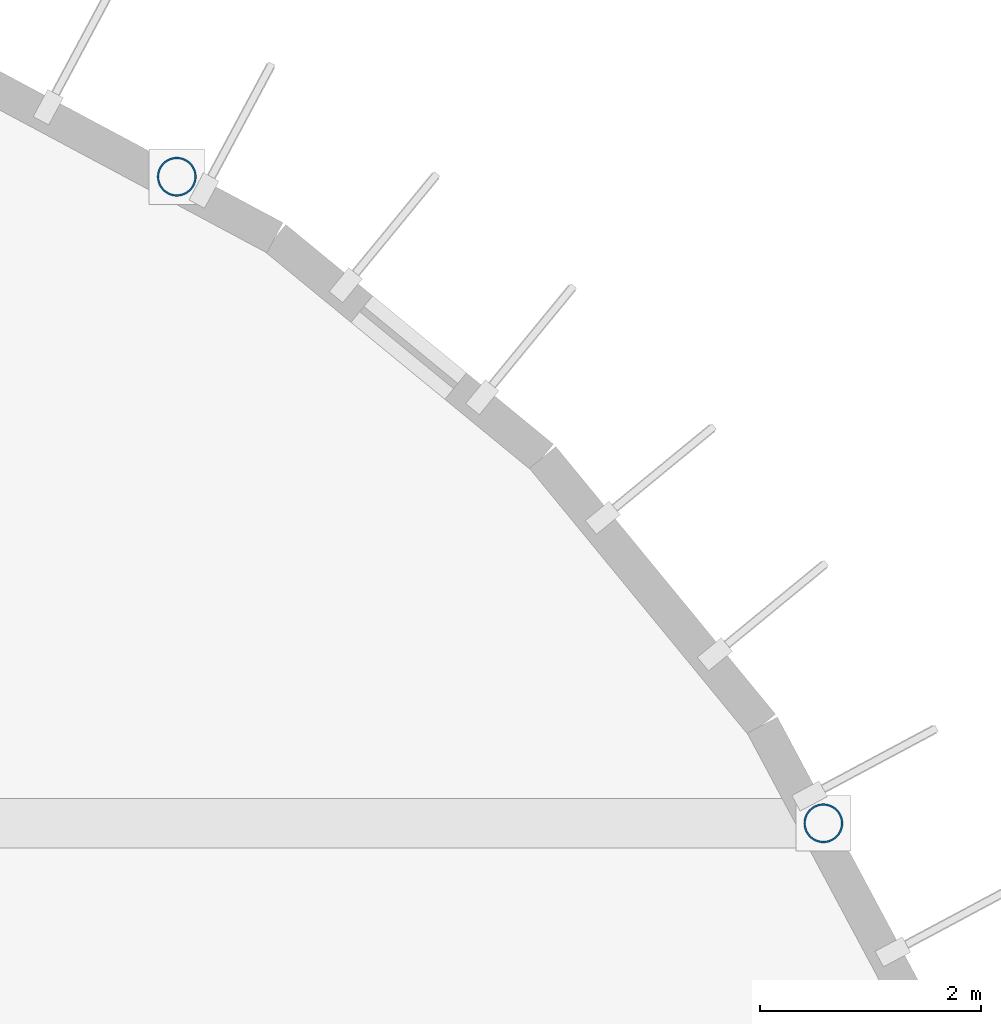
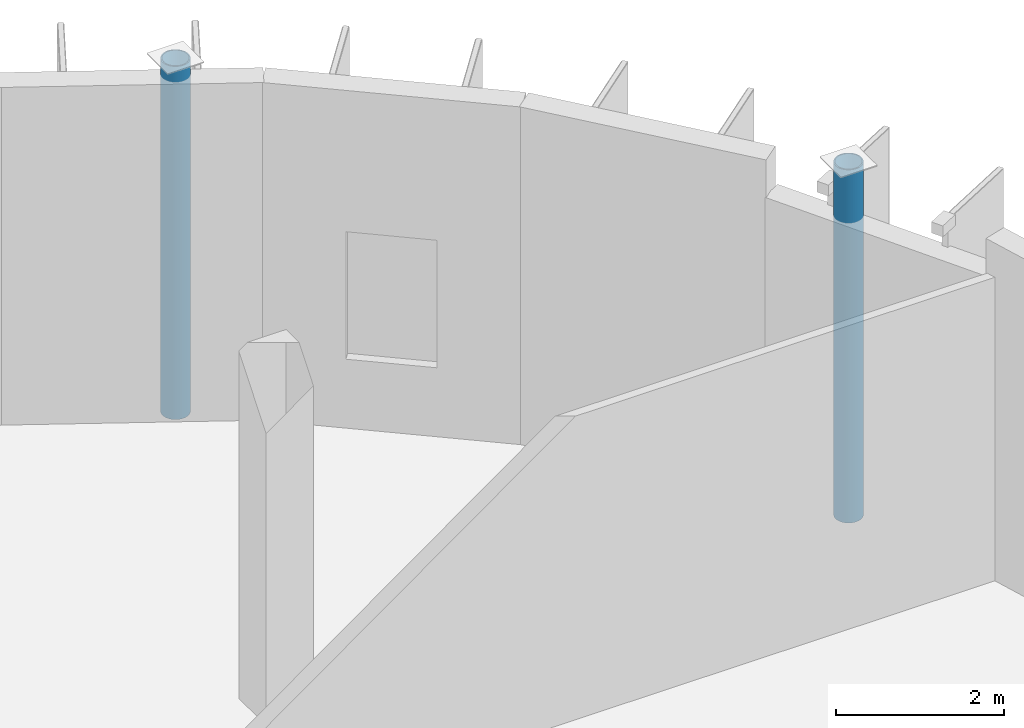
# One storey, part 12 of 103: 2 columns.
"""IFC4 building model written with IfcOpenShell, lengths in metres."""

from ifc_helpers import new_model, si_unit, direction, frame, origin, origin_2d, place, context, subcontext, project, spatial, hollow_circle, extrude, material, material_profile, profile_set, type_object, element, save


model = new_model("IFC4")

# Units and contexts
model_context = context("Model", 3, precision=1e-05, world=origin(), true_north=direction((0.0, 1.0)))
body_context = subcontext(model_context, "Body", "Model", "MODEL_VIEW")
ifc_project = project(units=[si_unit("LENGTHUNIT", "METRE"), si_unit("AREAUNIT", "SQUARE_METRE"), si_unit("VOLUMEUNIT", "CUBIC_METRE"), si_unit("PLANEANGLEUNIT", "RADIAN"), si_unit("MASSUNIT", "GRAM", prefix="KILO")], contexts=[model_context])

# Site, building, storey
site_placement = place(None, origin())
site = spatial("IfcSite", under=ifc_project, at=site_placement, CompositionType="ELEMENT")
building_placement = place(site_placement, origin())
building = spatial("IfcBuilding", under=site, at=building_placement, Name="Drelvana Railside Aquatics Centre", CompositionType="ELEMENT")
storey_placement = place(building_placement, origin())
storey = spatial("IfcBuildingStorey", under=building, at=storey_placement, Name="L00", CompositionType="ELEMENT", Elevation=0.0)

# Columns
ifc_material = material(Name="Structural steel S355", Category="steel")
ifc_material_profile = material_profile(ifc_material, hollow_circle(Radius=0.177734375, WallThickness=0.01611328125, at=origin_2d()), Name="CHS 355.6x16")
ifc_profile_set = profile_set([ifc_material_profile], Name="Structural steel S355")
column_type = type_object("IfcColumnType", Name="STR-SCOL-CHS-355.6x16", PredefinedType="COLUMN", material=ifc_profile_set)
for number, where, z_axis, x_axis, name in (
    (1, (181.8564453125, 96.0, 0.0), (0.0, 0.0, 1.0), (1.0, 0.0, 0.0), "Column SC-05 (L00)"),
    (2, (176.0, 101.8564453125, 0.0), (0.0, 0.0, 1.0), (1.0, 0.0, 0.0), "Column SC-05 (L00)"),
):
    element("IfcColumn", number, at=place(storey_placement, frame(where, z_axis=z_axis, x_axis=x_axis)), inside=storey, type_object=column_type, Name=name, PredefinedType="COLUMN", context=body_context, shape_type="SweptSolid", body=[
        extrude(hollow_circle(Radius=0.177734375, WallThickness=0.01611328125, at=origin_2d()), origin(), (0.0, 0.0, 1.0), 5.125),
    ])

save(model, "model.ifc")
